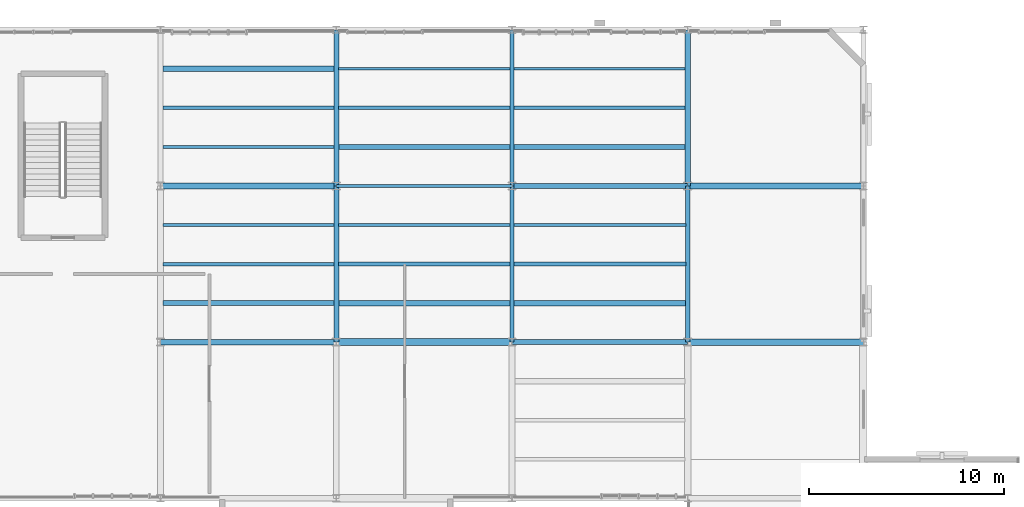
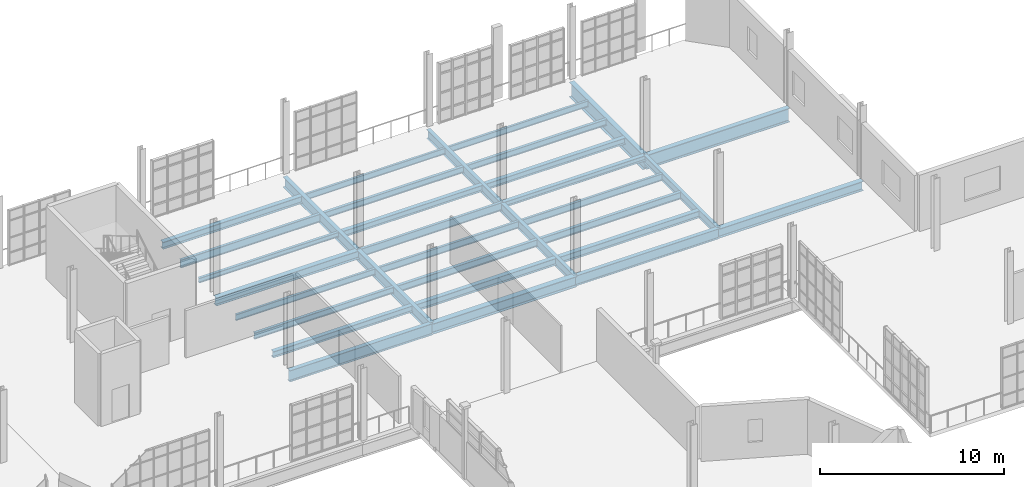
# One storey, part 49 of 122: 32 beams.
"""IFC4 building model written with IfcOpenShell, lengths in metres."""

from ifc_helpers import new_model, si_unit, direction, frame, origin, origin_2d, place, context, subcontext, project, spatial, i_section, extrude, material, material_profile, profile_set, type_object, element, save


model = new_model("IFC4")

# Units and contexts
model_context = context("Model", 3, precision=1e-05, world=origin(), true_north=direction((0.0, 1.0)))
body_context = subcontext(model_context, "Body", "Model", "MODEL_VIEW")
ifc_project = project(units=[si_unit("LENGTHUNIT", "METRE"), si_unit("AREAUNIT", "SQUARE_METRE"), si_unit("VOLUMEUNIT", "CUBIC_METRE"), si_unit("PLANEANGLEUNIT", "RADIAN"), si_unit("MASSUNIT", "GRAM", prefix="KILO"), si_unit("THERMODYNAMICTEMPERATUREUNIT", "KELVIN"), si_unit("POWERUNIT", "WATT")], contexts=[model_context])

# Site, building, storey
site_placement = place(None, origin())
site = spatial("IfcSite", under=ifc_project, at=site_placement, CompositionType="ELEMENT")
building_placement = place(site_placement, origin())
building = spatial("IfcBuilding", under=site, at=building_placement, Name="Zelmaris Science Centre", CompositionType="ELEMENT")
storey_placement = place(building_placement, frame((0.0, 0.0, 10.800048828125)))
storey = spatial("IfcBuildingStorey", under=building, at=storey_placement, Name="L02", CompositionType="ELEMENT", Elevation=10.800048828125)

# Beams
ifc_material = material(Name="Steel ASTM A992 Grade 50", Category="steel")
ifc_material_profile_1 = material_profile(ifc_material, i_section(OverallWidth=0.306884765625, OverallDepth=0.927001953125, WebThickness=0.019287109375, FlangeThickness=0.031982421875, FilletRadius=0.02392578125, at=origin_2d()), Name="W36X194")
ifc_profile_set_1 = profile_set([ifc_material_profile_1], Name="Steel ASTM A992 Grade 50")
beam_type_1 = type_object("IfcBeamType", Name="Beam G-03 W36X194", PredefinedType="BEAM", material=ifc_profile_set_1)
beam_1_placement = place(storey_placement, frame((99.0, 80.0, -0.7236328125), z_axis=(1.0, 0.0, 0.0), x_axis=(0.0, 1.0, 0.0)))
element("IfcBeam", 1, at=beam_1_placement, inside=storey, type_object=beam_type_1, Name="L02 East-west girder 589", PredefinedType="BEAM", context=body_context, shape_type="SweptSolid", body=[
    extrude(i_section(OverallWidth=0.306884765625, OverallDepth=0.927001953125, WebThickness=0.019287109375, FlangeThickness=0.031982421875, FilletRadius=0.02392578125, at=origin_2d()), origin(), (0.0, 0.0, 1.0), 9.0),
])
ifc_material_profile_2 = material_profile(ifc_material, i_section(OverallWidth=0.257080078125, OverallDepth=0.693115234375, WebThickness=0.014404296875, FlangeThickness=0.023681640625, FilletRadius=0.01806640625, at=origin_2d()), Name="W27X114")
ifc_profile_set_2 = profile_set([ifc_material_profile_2], Name="Steel ASTM A992 Grade 50")
beam_type_2 = type_object("IfcBeamType", Name="Beam G-12 W27X114", PredefinedType="BEAM", material=ifc_profile_set_2)
beam_2_placement = place(storey_placement, frame((81.0, 72.0, -0.6064453125), z_axis=(0.0, 1.0, 0.0), x_axis=(-1.0, 0.0, 0.0)))
element("IfcBeam", 2, at=beam_2_placement, inside=storey, type_object=beam_type_2, Name="L02 North-south girder 502", PredefinedType="BEAM", context=body_context, shape_type="SweptSolid", body=[
    extrude(i_section(OverallWidth=0.257080078125, OverallDepth=0.693115234375, WebThickness=0.014404296875, FlangeThickness=0.023681640625, FilletRadius=0.01806640625, at=origin_2d()), origin(), (0.0, 0.0, 1.0), 8.0),
])
ifc_material_profile_3 = material_profile(ifc_material, i_section(OverallWidth=0.25390625, OverallDepth=0.68310546875, WebThickness=0.012451171875, FlangeThickness=0.018798828125, FilletRadius=0.01806640625, at=origin_2d()), Name="W27X94")
ifc_profile_set_3 = profile_set([ifc_material_profile_3], Name="Steel ASTM A992 Grade 50")
beam_type_3 = type_object("IfcBeamType", Name="Beam G-13 W27X94", PredefinedType="BEAM", material=ifc_profile_set_3)
beam_3_placement = place(storey_placement, frame((81.0, 80.0, -0.6015625), z_axis=(0.0, 1.0, 0.0), x_axis=(-1.0, 0.0, 0.0)))
element("IfcBeam", 3, at=beam_3_placement, inside=storey, type_object=beam_type_3, Name="L02 North-south girder 503", PredefinedType="BEAM", context=body_context, shape_type="SweptSolid", body=[
    extrude(i_section(OverallWidth=0.25390625, OverallDepth=0.68310546875, WebThickness=0.012451171875, FlangeThickness=0.018798828125, FilletRadius=0.01806640625, at=origin_2d()), origin(), (0.0, 0.0, 1.0), 8.0),
])
ifc_material_profile_4 = material_profile(ifc_material, i_section(OverallWidth=0.22900390625, OverallDepth=0.612060546875, WebThickness=0.011962890625, FlangeThickness=0.01953125, FilletRadius=0.014892578125, at=origin_2d()), Name="W24X84")
ifc_profile_set_4 = profile_set([ifc_material_profile_4], Name="Steel ASTM A992 Grade 50")
beam_type_4 = type_object("IfcBeamType", Name="Beam G-16 W24X84", PredefinedType="BEAM", material=ifc_profile_set_4)
beam_4_placement = place(storey_placement, frame((90.0, 72.0, -0.566162109375), z_axis=(0.0, 1.0, 0.0), x_axis=(-1.0, 0.0, 0.0)))
element("IfcBeam", 4, at=beam_4_placement, inside=storey, type_object=beam_type_4, Name="L02 North-south girder 505", PredefinedType="BEAM", context=body_context, shape_type="SweptSolid", body=[
    extrude(i_section(OverallWidth=0.22900390625, OverallDepth=0.612060546875, WebThickness=0.011962890625, FlangeThickness=0.01953125, FilletRadius=0.014892578125, at=origin_2d()), origin(), (0.0, 0.0, 1.0), 8.0),
])
ifc_material_profile_5 = material_profile(ifc_material, i_section(OverallWidth=0.22900390625, OverallDepth=0.60205078125, WebThickness=0.010498046875, FlangeThickness=0.014892578125, FilletRadius=0.014892578125, at=origin_2d()), Name="W24X68")
ifc_profile_set_5 = profile_set([ifc_material_profile_5], Name="Steel ASTM A992 Grade 50")
beam_type_5 = type_object("IfcBeamType", Name="Beam G-17 W24X68", PredefinedType="BEAM", material=ifc_profile_set_5)
beam_5_placement = place(storey_placement, frame((90.0, 80.0, -0.56103515625), z_axis=(0.0, 1.0, 0.0), x_axis=(-1.0, 0.0, 0.0)))
element("IfcBeam", 5, at=beam_5_placement, inside=storey, type_object=beam_type_5, Name="L02 North-south girder 506", PredefinedType="BEAM", context=body_context, shape_type="SweptSolid", body=[
    extrude(i_section(OverallWidth=0.22900390625, OverallDepth=0.60205078125, WebThickness=0.010498046875, FlangeThickness=0.014892578125, FilletRadius=0.014892578125, at=origin_2d()), origin(), (0.0, 0.0, 1.0), 8.0),
])
ifc_material_profile_6 = material_profile(ifc_material, i_section(OverallWidth=0.2109375, OverallDepth=0.5380859375, WebThickness=0.01171875, FlangeThickness=0.018798828125, FilletRadius=0.013916015625, at=origin_2d()), Name="W21X73")
ifc_profile_set_6 = profile_set([ifc_material_profile_6], Name="Steel ASTM A992 Grade 50")
beam_type_6 = type_object("IfcBeamType", Name="Beam G-19 W21X73", PredefinedType="BEAM", material=ifc_profile_set_6)
beam_6_placement = place(storey_placement, frame((99.0, 72.0, -0.529052734375), z_axis=(0.0, 1.0, 0.0), x_axis=(-1.0, 0.0, 0.0)))
element("IfcBeam", 6, at=beam_6_placement, inside=storey, type_object=beam_type_6, Name="L02 North-south girder 508", PredefinedType="BEAM", context=body_context, shape_type="SweptSolid", body=[
    extrude(i_section(OverallWidth=0.2109375, OverallDepth=0.5380859375, WebThickness=0.01171875, FlangeThickness=0.018798828125, FilletRadius=0.013916015625, at=origin_2d()), origin(), (0.0, 0.0, 1.0), 8.0),
])
ifc_material_profile_7 = material_profile(ifc_material, i_section(OverallWidth=0.300048828125, OverallDepth=0.990966796875, WebThickness=0.0166015625, FlangeThickness=0.030517578125, FilletRadius=0.02490234375, at=origin_2d()), Name="W40X183")
ifc_profile_set_7 = profile_set([ifc_material_profile_7], Name="Steel ASTM A992 Grade 50")
beam_type_7 = type_object("IfcBeamType", Name="Beam G-24 W40X183", PredefinedType="BEAM", material=ifc_profile_set_7)
beam_7_placement = place(storey_placement, frame((99.0, 80.0, -0.755615234375), z_axis=(0.0, 1.0, 0.0), x_axis=(-1.0, 0.0, 0.0)))
element("IfcBeam", 7, at=beam_7_placement, inside=storey, type_object=beam_type_7, Name="L02 North-south girder 509", PredefinedType="BEAM", context=body_context, shape_type="SweptSolid", body=[
    extrude(i_section(OverallWidth=0.300048828125, OverallDepth=0.990966796875, WebThickness=0.0166015625, FlangeThickness=0.030517578125, FilletRadius=0.02490234375, at=origin_2d()), origin(), (0.0, 0.0, 1.0), 8.0),
])
ifc_material_profile_8 = material_profile(ifc_material, i_section(OverallWidth=0.26708984375, OverallDepth=0.75390625, WebThickness=0.01318359375, FlangeThickness=0.01708984375, FilletRadius=0.01904296875, at=origin_2d()), Name="W30X99")
ifc_profile_set_8 = profile_set([ifc_material_profile_8], Name="Steel ASTM A992 Grade 50")
beam_type_8 = type_object("IfcBeamType", Name="Beam G-34 W30X99", PredefinedType="BEAM", material=ifc_profile_set_8)
beam_8_placement = place(storey_placement, frame((72.0, 72.0, -0.636962890625), z_axis=(1.0, 0.0, 0.0), x_axis=(0.0, 1.0, 0.0)))
element("IfcBeam", 8, at=beam_8_placement, inside=storey, type_object=beam_type_8, Name="L02 East-west girder 581", PredefinedType="BEAM", context=body_context, shape_type="SweptSolid", body=[
    extrude(i_section(OverallWidth=0.26708984375, OverallDepth=0.75390625, WebThickness=0.01318359375, FlangeThickness=0.01708984375, FilletRadius=0.01904296875, at=origin_2d()), origin(), (0.0, 0.0, 1.0), 9.0),
])
ifc_material_profile_9 = material_profile(ifc_material, i_section(OverallWidth=0.35595703125, OverallDepth=0.700927734375, WebThickness=0.016845703125, FlangeThickness=0.02734375, FilletRadius=0.01806640625, at=origin_2d()), Name="W27X161")
ifc_profile_set_9 = profile_set([ifc_material_profile_9], Name="Steel ASTM A992 Grade 50")
beam_type_9 = type_object("IfcBeamType", Name="Beam G-35 W27X161", PredefinedType="BEAM", material=ifc_profile_set_9)
beam_9_placement = place(storey_placement, frame((81.0, 72.0, -0.610595703125), z_axis=(1.0, 0.0, 0.0), x_axis=(0.0, 1.0, 0.0)))
element("IfcBeam", 9, at=beam_9_placement, inside=storey, type_object=beam_type_9, Name="L02 East-west girder 582", PredefinedType="BEAM", context=body_context, shape_type="SweptSolid", body=[
    extrude(i_section(OverallWidth=0.35595703125, OverallDepth=0.700927734375, WebThickness=0.016845703125, FlangeThickness=0.02734375, FilletRadius=0.01806640625, at=origin_2d()), origin(), (0.0, 0.0, 1.0), 9.0),
])
ifc_material_profile_10 = material_profile(ifc_material, i_section(OverallWidth=0.25390625, OverallDepth=0.677978515625, WebThickness=0.01171875, FlangeThickness=0.016357421875, FilletRadius=0.01806640625, at=origin_2d()), Name="W27X84")
ifc_profile_set_10 = profile_set([ifc_material_profile_10], Name="Steel ASTM A992 Grade 50")
beam_type_10 = type_object("IfcBeamType", Name="Beam G-36 W27X84", PredefinedType="BEAM", material=ifc_profile_set_10)
beam_10_placement = place(storey_placement, frame((90.0, 72.0, -0.59912109375), z_axis=(1.0, 0.0, 0.0), x_axis=(0.0, 1.0, 0.0)))
element("IfcBeam", 10, at=beam_10_placement, inside=storey, type_object=beam_type_10, Name="L02 East-west girder 583", PredefinedType="BEAM", context=body_context, shape_type="SweptSolid", body=[
    extrude(i_section(OverallWidth=0.25390625, OverallDepth=0.677978515625, WebThickness=0.01171875, FlangeThickness=0.016357421875, FilletRadius=0.01806640625, at=origin_2d()), origin(), (0.0, 0.0, 1.0), 9.0),
])
ifc_material_profile_11 = material_profile(ifc_material, i_section(OverallWidth=0.327880859375, OverallDepth=0.626953125, WebThickness=0.0166015625, FlangeThickness=0.027587890625, FilletRadius=0.014892578125, at=origin_2d()), Name="W24X146")
ifc_profile_set_11 = profile_set([ifc_material_profile_11], Name="Steel ASTM A992 Grade 50")
beam_type_11 = type_object("IfcBeamType", Name="Beam G-37 W24X146", PredefinedType="BEAM", material=ifc_profile_set_11)
beam_11_placement = place(storey_placement, frame((99.0, 72.0, -0.573486328125), z_axis=(1.0, 0.0, 0.0), x_axis=(0.0, 1.0, 0.0)))
element("IfcBeam", 11, at=beam_11_placement, inside=storey, type_object=beam_type_11, Name="L02 East-west girder 584", PredefinedType="BEAM", context=body_context, shape_type="SweptSolid", body=[
    extrude(i_section(OverallWidth=0.327880859375, OverallDepth=0.626953125, WebThickness=0.0166015625, FlangeThickness=0.027587890625, FilletRadius=0.014892578125, at=origin_2d()), origin(), (0.0, 0.0, 1.0), 9.0),
])
ifc_material_profile_12 = material_profile(ifc_material, i_section(OverallWidth=0.31201171875, OverallDepth=0.5458984375, WebThickness=0.013916015625, FlangeThickness=0.022216796875, FilletRadius=0.013916015625, at=origin_2d()), Name="W21X111")
ifc_profile_set_12 = profile_set([ifc_material_profile_12], Name="Steel ASTM A992 Grade 50")
beam_type_12 = type_object("IfcBeamType", Name="Beam G-39 W21X111", PredefinedType="BEAM", material=ifc_profile_set_12)
beam_12_placement = place(storey_placement, frame((72.0, 80.0, -0.532958984375), z_axis=(1.0, 0.0, 0.0), x_axis=(0.0, 1.0, 0.0)))
element("IfcBeam", 12, at=beam_12_placement, inside=storey, type_object=beam_type_12, Name="L02 East-west girder 586", PredefinedType="BEAM", context=body_context, shape_type="SweptSolid", body=[
    extrude(i_section(OverallWidth=0.31201171875, OverallDepth=0.5458984375, WebThickness=0.013916015625, FlangeThickness=0.022216796875, FilletRadius=0.013916015625, at=origin_2d()), origin(), (0.0, 0.0, 1.0), 9.0),
])
ifc_material_profile_13 = material_profile(ifc_material, i_section(OverallWidth=0.1650390625, OverallDepth=0.52587890625, WebThickness=0.0087890625, FlangeThickness=0.011474609375, FilletRadius=0.013916015625, at=origin_2d()), Name="W21X44")
ifc_profile_set_13 = profile_set([ifc_material_profile_13], Name="Steel ASTM A992 Grade 50")
beam_type_13 = type_object("IfcBeamType", Name="Beam G-40 W21X44", PredefinedType="BEAM", material=ifc_profile_set_13)
beam_13_placement = place(storey_placement, frame((81.0, 80.0, -0.52294921875), z_axis=(1.0, 0.0, 0.0), x_axis=(0.0, 1.0, 0.0)))
element("IfcBeam", 13, at=beam_13_placement, inside=storey, type_object=beam_type_13, Name="L02 East-west girder 587", PredefinedType="BEAM", context=body_context, shape_type="SweptSolid", body=[
    extrude(i_section(OverallWidth=0.1650390625, OverallDepth=0.52587890625, WebThickness=0.0087890625, FlangeThickness=0.011474609375, FilletRadius=0.013916015625, at=origin_2d()), origin(), (0.0, 0.0, 1.0), 9.0),
])
ifc_material_profile_14 = material_profile(ifc_material, i_section(OverallWidth=0.25390625, OverallDepth=0.35595703125, WebThickness=0.010498046875, FlangeThickness=0.018310546875, FilletRadius=0.014892578125, at=origin_2d()), Name="W14X68")
ifc_profile_set_14 = profile_set([ifc_material_profile_14], Name="Steel ASTM A992 Grade 50")
beam_type_14 = type_object("IfcBeamType", Name="Beam G-41 W14X68", PredefinedType="BEAM", material=ifc_profile_set_14)
beam_14_placement = place(storey_placement, frame((90.0, 80.0, -0.43798828125), z_axis=(1.0, 0.0, 0.0), x_axis=(0.0, 1.0, 0.0)))
element("IfcBeam", 14, at=beam_14_placement, inside=storey, type_object=beam_type_14, Name="L02 East-west girder 588", PredefinedType="BEAM", context=body_context, shape_type="SweptSolid", body=[
    extrude(i_section(OverallWidth=0.25390625, OverallDepth=0.35595703125, WebThickness=0.010498046875, FlangeThickness=0.018310546875, FilletRadius=0.014892578125, at=origin_2d()), origin(), (0.0, 0.0, 1.0), 9.0),
])
ifc_material_profile_15 = material_profile(ifc_material, i_section(OverallWidth=0.16796875, OverallDepth=0.532958984375, WebThickness=0.01025390625, FlangeThickness=0.0166015625, FilletRadius=0.013916015625, at=origin_2d()), Name="W21X57")
ifc_profile_set_15 = profile_set([ifc_material_profile_15], Name="Steel ASTM A992 Grade 50")
beam_type_15 = type_object("IfcBeamType", Name="Beam J-01 W21X57", PredefinedType="JOIST", material=ifc_profile_set_15)
beam_15_placement = place(storey_placement, frame((72.118408203125, 84.0, -0.526611328125), z_axis=(1.0, 0.0, 0.0), x_axis=(0.0, 1.0, 0.0)))
element("IfcBeam", 15, at=beam_15_placement, inside=storey, type_object=beam_type_15, Name="L02 Composite floor joist 252", PredefinedType="JOIST", context=body_context, shape_type="SweptSolid", body=[
    extrude(i_section(OverallWidth=0.16796875, OverallDepth=0.532958984375, WebThickness=0.01025390625, FlangeThickness=0.0166015625, FilletRadius=0.013916015625, at=origin_2d()), origin(), (0.0, 0.0, 1.0), 8.76953125),
])
ifc_material_profile_16 = material_profile(ifc_material, i_section(OverallWidth=0.281982421875, OverallDepth=0.471923828125, WebThickness=0.013671875, FlangeThickness=0.022216796875, FilletRadius=0.012939453125, at=origin_2d()), Name="W18X97")
ifc_profile_set_16 = profile_set([ifc_material_profile_16], Name="Steel ASTM A992 Grade 50")
beam_type_16 = type_object("IfcBeamType", Name="Beam J-02 W18X97", PredefinedType="JOIST", material=ifc_profile_set_16)
beam_16_placement = place(storey_placement, frame((72.118408203125, 86.0, -0.49609375), z_axis=(1.0, 0.0, 0.0), x_axis=(0.0, 1.0, 0.0)))
element("IfcBeam", 16, at=beam_16_placement, inside=storey, type_object=beam_type_16, Name="L02 Composite floor joist 253", PredefinedType="JOIST", context=body_context, shape_type="SweptSolid", body=[
    extrude(i_section(OverallWidth=0.281982421875, OverallDepth=0.471923828125, WebThickness=0.013671875, FlangeThickness=0.022216796875, FilletRadius=0.012939453125, at=origin_2d()), origin(), (0.0, 0.0, 1.0), 8.76953125),
])
ifc_material_profile_17 = material_profile(ifc_material, i_section(OverallWidth=0.279052734375, OverallDepth=0.4619140625, WebThickness=0.0107421875, FlangeThickness=0.017333984375, FilletRadius=0.012939453125, at=origin_2d()), Name="W18X76")
ifc_profile_set_17 = profile_set([ifc_material_profile_17], Name="Steel ASTM A992 Grade 50")
beam_type_17 = type_object("IfcBeamType", Name="Beam J-03 W18X76", PredefinedType="JOIST", material=ifc_profile_set_17)
beam_17_placement = place(storey_placement, frame((81.113525390625, 74.0, -0.490966796875), z_axis=(1.0, 0.0, 0.0), x_axis=(0.0, 1.0, 0.0)))
element("IfcBeam", 17, at=beam_17_placement, inside=storey, type_object=beam_type_17, Name="L02 Composite floor joist 254", PredefinedType="JOIST", context=body_context, shape_type="SweptSolid", body=[
    extrude(i_section(OverallWidth=0.279052734375, OverallDepth=0.4619140625, WebThickness=0.0107421875, FlangeThickness=0.017333984375, FilletRadius=0.012939453125, at=origin_2d()), origin(), (0.0, 0.0, 1.0), 8.786865234375),
])
beam_18_placement = place(storey_placement, frame((90.099609375, 74.0, -0.490966796875), z_axis=(1.0, 0.0, 0.0), x_axis=(0.0, 1.0, 0.0)))
element("IfcBeam", 18, at=beam_18_placement, inside=storey, type_object=beam_type_17, Name="L02 Composite floor joist 263", PredefinedType="JOIST", context=body_context, shape_type="SweptSolid", body=[
    extrude(i_section(OverallWidth=0.279052734375, OverallDepth=0.4619140625, WebThickness=0.0107421875, FlangeThickness=0.017333984375, FilletRadius=0.012939453125, at=origin_2d()), origin(), (0.0, 0.0, 1.0), 8.809814453125),
])
ifc_material_profile_18 = material_profile(ifc_material, i_section(OverallWidth=0.19091796875, OverallDepth=0.4599609375, WebThickness=0.010009765625, FlangeThickness=0.01611328125, FilletRadius=0.012939453125, at=origin_2d()), Name="W18X55")
ifc_profile_set_18 = profile_set([ifc_material_profile_18], Name="Steel ASTM A992 Grade 50")
beam_type_18 = type_object("IfcBeamType", Name="Beam J-04 W18X55", PredefinedType="JOIST", material=ifc_profile_set_18)
beam_19_placement = place(storey_placement, frame((81.113525390625, 76.0, -0.489990234375), z_axis=(1.0, 0.0, 0.0), x_axis=(0.0, 1.0, 0.0)))
element("IfcBeam", 19, at=beam_19_placement, inside=storey, type_object=beam_type_18, Name="L02 Composite floor joist 255", PredefinedType="JOIST", context=body_context, shape_type="SweptSolid", body=[
    extrude(i_section(OverallWidth=0.19091796875, OverallDepth=0.4599609375, WebThickness=0.010009765625, FlangeThickness=0.01611328125, FilletRadius=0.012939453125, at=origin_2d()), origin(), (0.0, 0.0, 1.0), 8.786865234375),
])
beam_20_placement = place(storey_placement, frame((90.099609375, 76.0, -0.489990234375), z_axis=(1.0, 0.0, 0.0), x_axis=(0.0, 1.0, 0.0)))
element("IfcBeam", 20, at=beam_20_placement, inside=storey, type_object=beam_type_18, Name="L02 Composite floor joist 264", PredefinedType="JOIST", context=body_context, shape_type="SweptSolid", body=[
    extrude(i_section(OverallWidth=0.19091796875, OverallDepth=0.4599609375, WebThickness=0.010009765625, FlangeThickness=0.01611328125, FilletRadius=0.012939453125, at=origin_2d()), origin(), (0.0, 0.0, 1.0), 8.809814453125),
])
ifc_material_profile_19 = material_profile(ifc_material, i_section(OverallWidth=0.152099609375, OverallDepth=0.455078125, WebThickness=0.008056640625, FlangeThickness=0.01318359375, FilletRadius=0.012939453125, at=origin_2d()), Name="W18X40")
ifc_profile_set_19 = profile_set([ifc_material_profile_19], Name="Steel ASTM A992 Grade 50")
beam_type_19 = type_object("IfcBeamType", Name="Beam J-05 W18X40", PredefinedType="JOIST", material=ifc_profile_set_19)
beam_21_placement = place(storey_placement, frame((81.113525390625, 78.0, -0.487548828125), z_axis=(1.0, 0.0, 0.0), x_axis=(0.0, 1.0, 0.0)))
element("IfcBeam", 21, at=beam_21_placement, inside=storey, type_object=beam_type_19, Name="L02 Composite floor joist 256", PredefinedType="JOIST", context=body_context, shape_type="SweptSolid", body=[
    extrude(i_section(OverallWidth=0.152099609375, OverallDepth=0.455078125, WebThickness=0.008056640625, FlangeThickness=0.01318359375, FilletRadius=0.012939453125, at=origin_2d()), origin(), (0.0, 0.0, 1.0), 8.786865234375),
])
beam_22_placement = place(storey_placement, frame((90.099609375, 78.0, -0.487548828125), z_axis=(1.0, 0.0, 0.0), x_axis=(0.0, 1.0, 0.0)))
element("IfcBeam", 22, at=beam_22_placement, inside=storey, type_object=beam_type_19, Name="L02 Composite floor joist 265", PredefinedType="JOIST", context=body_context, shape_type="SweptSolid", body=[
    extrude(i_section(OverallWidth=0.152099609375, OverallDepth=0.455078125, WebThickness=0.008056640625, FlangeThickness=0.01318359375, FilletRadius=0.012939453125, at=origin_2d()), origin(), (0.0, 0.0, 1.0), 8.809814453125),
])
ifc_material_profile_20 = material_profile(ifc_material, i_section(OverallWidth=0.260009765625, OverallDepth=0.4140625, WebThickness=0.010009765625, FlangeThickness=0.016845703125, FilletRadius=0.011962890625, at=origin_2d()), Name="W16X67")
ifc_profile_set_20 = profile_set([ifc_material_profile_20], Name="Steel ASTM A992 Grade 50")
beam_type_20 = type_object("IfcBeamType", Name="Beam J-06 W16X67", PredefinedType="JOIST", material=ifc_profile_set_20)
beam_23_placement = place(storey_placement, frame((72.131103515625, 74.0, -0.467041015625), z_axis=(1.0, 0.0, 0.0), x_axis=(0.0, 1.0, 0.0)))
element("IfcBeam", 23, at=beam_23_placement, inside=storey, type_object=beam_type_20, Name="L02 Composite floor joist 248", PredefinedType="JOIST", context=body_context, shape_type="SweptSolid", body=[
    extrude(i_section(OverallWidth=0.260009765625, OverallDepth=0.4140625, WebThickness=0.010009765625, FlangeThickness=0.016845703125, FilletRadius=0.011962890625, at=origin_2d()), origin(), (0.0, 0.0, 1.0), 8.75537109375),
])
beam_24_placement = place(storey_placement, frame((81.112060546875, 82.0, -0.467041015625), z_axis=(1.0, 0.0, 0.0), x_axis=(0.0, 1.0, 0.0)))
element("IfcBeam", 24, at=beam_24_placement, inside=storey, type_object=beam_type_20, Name="L02 Composite floor joist 257", PredefinedType="JOIST", context=body_context, shape_type="SweptSolid", body=[
    extrude(i_section(OverallWidth=0.260009765625, OverallDepth=0.4140625, WebThickness=0.010009765625, FlangeThickness=0.016845703125, FilletRadius=0.011962890625, at=origin_2d()), origin(), (0.0, 0.0, 1.0), 8.788330078125),
])
beam_25_placement = place(storey_placement, frame((90.099609375, 82.0, -0.467041015625), z_axis=(1.0, 0.0, 0.0), x_axis=(0.0, 1.0, 0.0)))
element("IfcBeam", 25, at=beam_25_placement, inside=storey, type_object=beam_type_20, Name="L02 Composite floor joist 266", PredefinedType="JOIST", context=body_context, shape_type="SweptSolid", body=[
    extrude(i_section(OverallWidth=0.260009765625, OverallDepth=0.4140625, WebThickness=0.010009765625, FlangeThickness=0.016845703125, FilletRadius=0.011962890625, at=origin_2d()), origin(), (0.0, 0.0, 1.0), 8.765380859375),
])
ifc_material_profile_21 = material_profile(ifc_material, i_section(OverallWidth=0.177978515625, OverallDepth=0.408935546875, WebThickness=0.0087890625, FlangeThickness=0.014404296875, FilletRadius=0.011962890625, at=origin_2d()), Name="W16X45")
ifc_profile_set_21 = profile_set([ifc_material_profile_21], Name="Steel ASTM A992 Grade 50")
beam_type_21 = type_object("IfcBeamType", Name="Beam J-07 W16X45", PredefinedType="JOIST", material=ifc_profile_set_21)
beam_26_placement = place(storey_placement, frame((72.131103515625, 76.0, -0.464599609375), z_axis=(1.0, 0.0, 0.0), x_axis=(0.0, 1.0, 0.0)))
element("IfcBeam", 26, at=beam_26_placement, inside=storey, type_object=beam_type_21, Name="L02 Composite floor joist 249", PredefinedType="JOIST", context=body_context, shape_type="SweptSolid", body=[
    extrude(i_section(OverallWidth=0.177978515625, OverallDepth=0.408935546875, WebThickness=0.0087890625, FlangeThickness=0.014404296875, FilletRadius=0.011962890625, at=origin_2d()), origin(), (0.0, 0.0, 1.0), 8.75537109375),
])
beam_27_placement = place(storey_placement, frame((81.112060546875, 84.0, -0.464599609375), z_axis=(1.0, 0.0, 0.0), x_axis=(0.0, 1.0, 0.0)))
element("IfcBeam", 27, at=beam_27_placement, inside=storey, type_object=beam_type_21, Name="L02 Composite floor joist 258", PredefinedType="JOIST", context=body_context, shape_type="SweptSolid", body=[
    extrude(i_section(OverallWidth=0.177978515625, OverallDepth=0.408935546875, WebThickness=0.0087890625, FlangeThickness=0.014404296875, FilletRadius=0.011962890625, at=origin_2d()), origin(), (0.0, 0.0, 1.0), 8.788330078125),
])
beam_28_placement = place(storey_placement, frame((90.099609375, 84.0, -0.464599609375), z_axis=(1.0, 0.0, 0.0), x_axis=(0.0, 1.0, 0.0)))
element("IfcBeam", 28, at=beam_28_placement, inside=storey, type_object=beam_type_21, Name="L02 Composite floor joist 267", PredefinedType="JOIST", context=body_context, shape_type="SweptSolid", body=[
    extrude(i_section(OverallWidth=0.177978515625, OverallDepth=0.408935546875, WebThickness=0.0087890625, FlangeThickness=0.014404296875, FilletRadius=0.011962890625, at=origin_2d()), origin(), (0.0, 0.0, 1.0), 8.765380859375),
])
ifc_material_profile_22 = material_profile(ifc_material, i_section(OverallWidth=0.139892578125, OverallDepth=0.404052734375, WebThickness=0.007080078125, FlangeThickness=0.01123046875, FilletRadius=0.011962890625, at=origin_2d()), Name="W16X31")
ifc_profile_set_22 = profile_set([ifc_material_profile_22], Name="Steel ASTM A992 Grade 50")
beam_type_22 = type_object("IfcBeamType", Name="Beam J-08 W16X31", PredefinedType="JOIST", material=ifc_profile_set_22)
beam_29_placement = place(storey_placement, frame((72.131103515625, 78.0, -0.462158203125), z_axis=(1.0, 0.0, 0.0), x_axis=(0.0, 1.0, 0.0)))
element("IfcBeam", 29, at=beam_29_placement, inside=storey, type_object=beam_type_22, Name="L02 Composite floor joist 250", PredefinedType="JOIST", context=body_context, shape_type="SweptSolid", body=[
    extrude(i_section(OverallWidth=0.139892578125, OverallDepth=0.404052734375, WebThickness=0.007080078125, FlangeThickness=0.01123046875, FilletRadius=0.011962890625, at=origin_2d()), origin(), (0.0, 0.0, 1.0), 8.75537109375),
])
beam_30_placement = place(storey_placement, frame((81.112060546875, 86.0, -0.462158203125), z_axis=(1.0, 0.0, 0.0), x_axis=(0.0, 1.0, 0.0)))
element("IfcBeam", 30, at=beam_30_placement, inside=storey, type_object=beam_type_22, Name="L02 Composite floor joist 259", PredefinedType="JOIST", context=body_context, shape_type="SweptSolid", body=[
    extrude(i_section(OverallWidth=0.139892578125, OverallDepth=0.404052734375, WebThickness=0.007080078125, FlangeThickness=0.01123046875, FilletRadius=0.011962890625, at=origin_2d()), origin(), (0.0, 0.0, 1.0), 8.788330078125),
])
beam_31_placement = place(storey_placement, frame((90.099609375, 86.0, -0.462158203125), z_axis=(1.0, 0.0, 0.0), x_axis=(0.0, 1.0, 0.0)))
element("IfcBeam", 31, at=beam_31_placement, inside=storey, type_object=beam_type_22, Name="L02 Composite floor joist 268", PredefinedType="JOIST", context=body_context, shape_type="SweptSolid", body=[
    extrude(i_section(OverallWidth=0.139892578125, OverallDepth=0.404052734375, WebThickness=0.007080078125, FlangeThickness=0.01123046875, FilletRadius=0.011962890625, at=origin_2d()), origin(), (0.0, 0.0, 1.0), 8.765380859375),
])
ifc_material_profile_23 = material_profile(ifc_material, i_section(OverallWidth=0.1669921875, OverallDepth=0.318115234375, WebThickness=0.007568359375, FlangeThickness=0.01318359375, FilletRadius=0.011962890625, at=origin_2d()), Name="W12X35")
ifc_profile_set_23 = profile_set([ifc_material_profile_23], Name="Steel ASTM A992 Grade 50")
beam_type_23 = type_object("IfcBeamType", Name="Beam J-09 W12X35", PredefinedType="JOIST", material=ifc_profile_set_23)
beam_32_placement = place(storey_placement, frame((72.118408203125, 82.0, -0.4189453125), z_axis=(1.0, 0.0, 0.0), x_axis=(0.0, 1.0, 0.0)))
element("IfcBeam", 32, at=beam_32_placement, inside=storey, type_object=beam_type_23, Name="L02 Composite floor joist 251", PredefinedType="JOIST", context=body_context, shape_type="SweptSolid", body=[
    extrude(i_section(OverallWidth=0.1669921875, OverallDepth=0.318115234375, WebThickness=0.007568359375, FlangeThickness=0.01318359375, FilletRadius=0.011962890625, at=origin_2d()), origin(), (0.0, 0.0, 1.0), 8.76953125),
])

save(model, "model.ifc")
